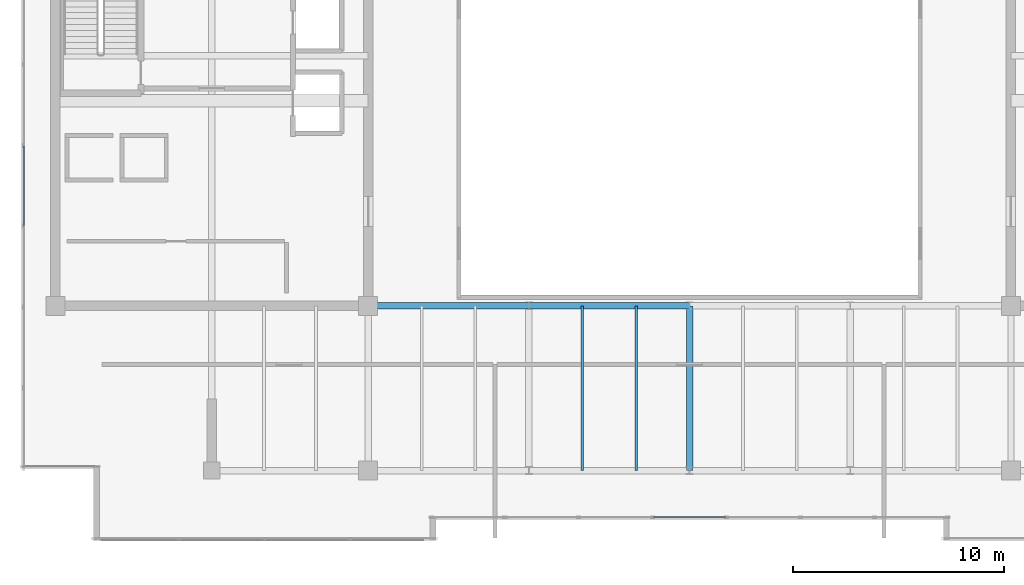
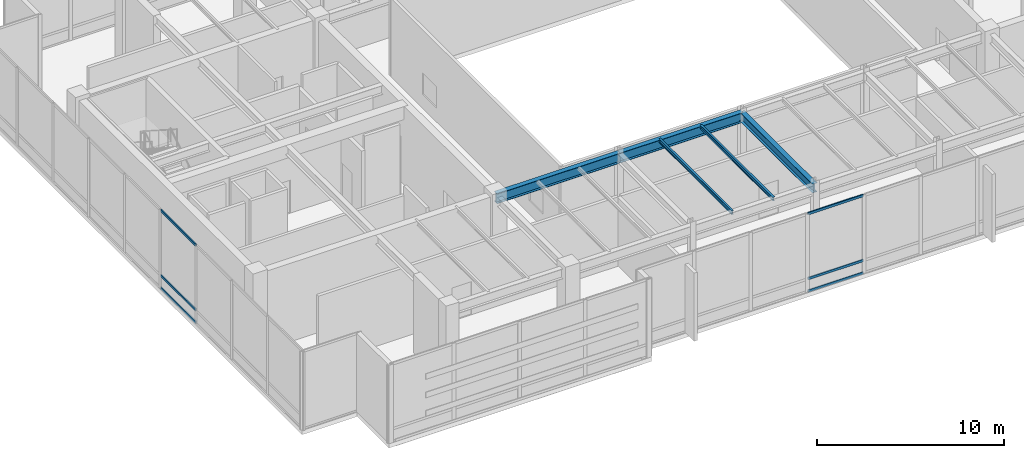
# One storey, part 8 of 30: 6 members, 5 beams, 2 elements without a shape of their own.
"""IFC4 building model written with IfcOpenShell, lengths in metres."""

import ifcopenshell
import ifcopenshell.guid

model = None  # the IFC model being written
_history = None  # IfcOwnerHistory: only IFC2X3 demands one
_inside = {}  # id of a spatial element -> (the spatial element, [elements in it])
_under = {}  # id of a project, library or spatial element -> (it, [spatial elements below it])
_declared = {}  # id of a project -> (the project, [libraries it declares])
_typed = {}  # id of a type object -> (the type object, [elements of that type])
_made_of = {}  # id of a material, layer set ... -> (it, [elements and type objects made of it])


def new_model(schema):
    """Start an empty IFC model of exactly this schema.

    Asked for "IFC4X3", IfcOpenShell would pick the latest addendum, in which some entities
    have other attributes; the version numbers below select the first issue.
    IFC2X3 requires an IfcOwnerHistory on every rooted entity: one is made here for all.
    """
    global model, _history
    if schema == "IFC4X3":
        model = ifcopenshell.file(schema_version=(4, 3, 0, 0))
    else:
        model = ifcopenshell.file(schema=schema)
    _inside.clear()
    _under.clear()
    _declared.clear()
    _typed.clear()
    _made_of.clear()
    _history = None
    if model.schema == "IFC2X3":
        org = make("IfcOrganization", Name="unknown")
        user = make(
            "IfcPersonAndOrganization",
            ThePerson=make("IfcPerson", FamilyName="unknown"),
            TheOrganization=org,
        )
        app = make(
            "IfcApplication",
            ApplicationDeveloper=org,
            Version="unknown",
            ApplicationFullName="unknown",
            ApplicationIdentifier="unknown",
        )
        _history = make(
            "IfcOwnerHistory",
            OwningUser=user,
            OwningApplication=app,
            ChangeAction="ADDED",
            CreationDate=0,
        )
    return model


def make(cls, **values):
    """One entity of the class cls with the attributes given. An attribute that is None is left unset."""
    return model.create_entity(
        cls, **{name: value for name, value in values.items() if value is not None}
    )


def rooted(cls, **values):
    """An entity with a GlobalId (a new one), such as an element, a storey or a relation."""
    return make(cls, GlobalId=ifcopenshell.guid.new(), OwnerHistory=_history, **values)


def si_unit(unit_type, name, prefix=None):
    """IfcSIUnit, for example si_unit("LENGTHUNIT", "METRE", prefix="MILLI")."""
    return make("IfcSIUnit", UnitType=unit_type, Prefix=prefix, Name=name)


def assignment(units):
    """IfcUnitAssignment: the units of a project."""
    return None if units is None else make("IfcUnitAssignment", Units=units)


def point(xyz):
    """IfcCartesianPoint."""
    return None if xyz is None else make("IfcCartesianPoint", Coordinates=xyz)


def direction(xyz):
    """IfcDirection."""
    return None if xyz is None else make("IfcDirection", DirectionRatios=xyz)


def frame(location, z_axis=None, x_axis=None):
    """IfcAxis2Placement3D, a coordinate frame: its origin and axes. An axis left out is left unset."""
    return make(
        "IfcAxis2Placement3D",
        Location=point(location),
        Axis=direction(z_axis),
        RefDirection=direction(x_axis),
    )


def frame_2d(location, x_axis=None):
    """IfcAxis2Placement2D, a coordinate frame in the plane: its origin and x axis."""
    return make(
        "IfcAxis2Placement2D", Location=point(location), RefDirection=direction(x_axis)
    )


def origin():
    """The frame at (0, 0, 0) with its axes left unset."""
    return frame((0.0, 0.0, 0.0))


def origin_2d():
    """The frame at (0, 0) in the plane with its x axis left unset."""
    return frame_2d((0.0, 0.0))


def place(relative_to, where):
    """IfcLocalPlacement: puts the frame where relative to a parent placement (None: the world)."""
    return make(
        "IfcLocalPlacement", PlacementRelTo=relative_to, RelativePlacement=where
    )


def context(
    kind, dimensions, precision=None, world=None, true_north=None, identifier=None
):
    """IfcGeometricRepresentationContext, for example the 3D "Model" context."""
    return make(
        "IfcGeometricRepresentationContext",
        ContextIdentifier=identifier,
        ContextType=kind,
        CoordinateSpaceDimension=dimensions,
        Precision=precision,
        WorldCoordinateSystem=world,
        TrueNorth=true_north,
    )


def subcontext(parent, identifier, kind, view, scale=None):
    """IfcGeometricRepresentationSubContext, for example "Body" below "Model"."""
    return make(
        "IfcGeometricRepresentationSubContext",
        ContextIdentifier=identifier,
        ContextType=kind,
        ParentContext=parent,
        TargetScale=scale,
        TargetView=view,
    )


def project(units=None, contexts=None):
    """IfcProject with its units and contexts."""
    return rooted(
        "IfcProject",
        Name="project",
        RepresentationContexts=contexts,
        UnitsInContext=assignment(units),
    )


def spatial(cls, under=None, at=None, **own):
    """A site, building, storey or space (cls), placed at a placement, below another one or the project."""
    s = rooted(cls, ObjectPlacement=at, **own)
    if under is not None:
        _under.setdefault(under.id(), (under, []))[1].append(s)
    return s


def profile(cls, at=None, kind="AREA", **sizes):
    """A parametric profile (cls). Its sizes go by their IFC names, for example OverallWidth=200.0."""
    return make(cls, ProfileType=kind, Position=at, **sizes)


def hollow_rectangle(**sizes):
    """IfcRectangleHollowProfileDef."""
    return profile("IfcRectangleHollowProfileDef", **sizes)


def i_section(**sizes):
    """IfcIShapeProfileDef."""
    return profile("IfcIShapeProfileDef", **sizes)


def extrude(swept, where, along, depth):
    """IfcExtrudedAreaSolid: the profile swept, set in the frame where, extruded along a direction by depth."""
    return make(
        "IfcExtrudedAreaSolid",
        SweptArea=swept,
        Position=where,
        ExtrudedDirection=direction(along),
        Depth=depth,
    )


def shape(context_of_items, identifier, shape_type, items):
    """IfcShapeRepresentation: the items that make up one representation, for example the "Body"."""
    return make(
        "IfcShapeRepresentation",
        ContextOfItems=context_of_items,
        RepresentationIdentifier=identifier,
        RepresentationType=shape_type,
        Items=items,
    )


def source(mapping_origin, context_of_items, identifier, shape_type, items):
    """IfcRepresentationMap: a shape defined once, which mapped items show again and again."""
    return make(
        "IfcRepresentationMap",
        MappingOrigin=mapping_origin,
        MappedRepresentation=shape(context_of_items, identifier, shape_type, items),
    )


def transform(
    local_origin,
    x_axis=None,
    y_axis=None,
    z_axis=None,
    scale=None,
    scale2=None,
    scale3=None,
    uniform=True,
):
    """IfcCartesianTransformationOperator3D, or its non-uniform kind. x_axis, y_axis, z_axis: its Axis1, 2, 3."""
    if uniform:
        return make(
            "IfcCartesianTransformationOperator3D",
            Axis1=direction(x_axis),
            Axis2=direction(y_axis),
            LocalOrigin=point(local_origin),
            Scale=scale,
            Axis3=direction(z_axis),
        )
    return make(
        "IfcCartesianTransformationOperator3DnonUniform",
        Axis1=direction(x_axis),
        Axis2=direction(y_axis),
        LocalOrigin=point(local_origin),
        Scale=scale,
        Axis3=direction(z_axis),
        Scale2=scale2,
        Scale3=scale3,
    )


def mapped(mapping_source, mapping_target):
    """IfcMappedItem: shows the shape of a source again, moved by a transform."""
    return make(
        "IfcMappedItem", MappingSource=mapping_source, MappingTarget=mapping_target
    )


def material(Name=None, Category=None):
    """IfcMaterial."""
    return make("IfcMaterial", Name=Name, Category=Category)


def layer(
    of_material, thickness, ventilated=None, Name=None, Category=None, Priority=None
):
    """IfcMaterialLayer: one layer of a wall or slab, of a material (None: an air gap)."""
    return make(
        "IfcMaterialLayer",
        Material=of_material,
        LayerThickness=thickness,
        IsVentilated=ventilated,
        Name=Name,
        Category=Category,
        Priority=Priority,
    )


def layer_set(layers, Name=None):
    """IfcMaterialLayerSet."""
    return make("IfcMaterialLayerSet", MaterialLayers=layers, LayerSetName=Name)


def material_profile(
    of_material, cross_section, Name=None, Category=None, Priority=None
):
    """IfcMaterialProfile: a cross section and its material."""
    return make(
        "IfcMaterialProfile",
        Name=Name,
        Material=of_material,
        Profile=cross_section,
        Priority=Priority,
        Category=Category,
    )


def profile_set(profiles, Name=None, composite=None):
    """IfcMaterialProfileSet."""
    return make(
        "IfcMaterialProfileSet",
        Name=Name,
        MaterialProfiles=profiles,
        CompositeProfile=composite,
    )


def made_of(thing, what):
    """Note that an element or type object is made of a material, layer set ...; save() writes the relation."""
    if what is not None:
        _made_of.setdefault(what.id(), (what, []))[1].append(thing)
    return thing


def type_object(cls, material=None, **own):
    """A type object (cls), such as IfcWallType, which elements share."""
    return made_of(rooted(cls, **own), material)


def type_shapes(of_type, sources):
    """Give a type object the sources (RepresentationMaps) that its elements show as mapped items."""
    of_type.RepresentationMaps = sources


def element(
    cls,
    number,
    at=None,
    inside=None,
    cuts=None,
    type_object=None,
    material=None,
    context=None,
    identifier="Body",
    shape_type=None,
    held_by="IfcProductDefinitionShape",
    body=None,
    shapes=None,
    **own,
):
    """One element of the class cls, such as IfcWall. Its Tag is "e" and its number.

    at: its placement. inside: the storey or other place that contains it. cuts: it is an
    opening in that element (IfcRelVoidsElement). A single representation is given by context,
    identifier, shape_type and body (its items); several are given by shapes. held_by: the class
    of the entity that holds the representations. save() writes the other relations.
    """
    e = rooted(cls, Tag="e%d" % number, ObjectPlacement=at, **own)
    if body is not None:
        shapes = [shape(context, identifier, shape_type, body)]
    if shapes is not None:
        e.Representation = make(held_by, Representations=shapes)
    if inside is not None:
        _inside.setdefault(inside.id(), (inside, []))[1].append(e)
    if cuts is not None:
        rooted(
            "IfcRelVoidsElement", RelatingBuildingElement=cuts, RelatedOpeningElement=e
        )
    if type_object is not None:
        _typed.setdefault(type_object.id(), (type_object, []))[1].append(e)
    return made_of(e, material)


def aggregate(whole, parts):
    """IfcRelAggregates: a whole, such as a stair, and the parts it consists of."""
    return rooted("IfcRelAggregates", RelatingObject=whole, RelatedObjects=parts)


def save(model, path):
    """Write the relations noted so far, then the file.

    IfcRelAggregates (storeys below a building ...), IfcRelContainedInSpatialStructure (elements
    in a storey), IfcRelDefinesByType, IfcRelAssociatesMaterial and IfcRelDeclares: one each for
    every whole, place, type object, material and project.
    """
    for whole, parts in _under.values():
        aggregate(whole, parts)
    for where, things in _inside.values():
        rooted(
            "IfcRelContainedInSpatialStructure",
            RelatedElements=things,
            RelatingStructure=where,
        )
    for kind, things in _typed.values():
        rooted("IfcRelDefinesByType", RelatedObjects=things, RelatingType=kind)
    for what, things in _made_of.values():
        rooted("IfcRelAssociatesMaterial", RelatedObjects=things, RelatingMaterial=what)
    for by, libraries in _declared.values():
        rooted("IfcRelDeclares", RelatingContext=by, RelatedDefinitions=libraries)
    model.write(path)


model = new_model("IFC4")

# Units and contexts
model_context = context("Model", 3, precision=1e-05, world=origin(), true_north=direction((0.0, 1.0)))
body_context = subcontext(model_context, "Body", "Model", "MODEL_VIEW")
ifc_project = project(units=[si_unit("LENGTHUNIT", "METRE"), si_unit("AREAUNIT", "SQUARE_METRE"), si_unit("VOLUMEUNIT", "CUBIC_METRE"), si_unit("PLANEANGLEUNIT", "RADIAN"), si_unit("MASSUNIT", "GRAM", prefix="KILO")], contexts=[model_context])

# Site, building, storey
site_placement = place(None, origin())
site = spatial("IfcSite", under=ifc_project, at=site_placement, CompositionType="ELEMENT")
building_placement = place(site_placement, origin())
building = spatial("IfcBuilding", under=site, at=building_placement, Name="Haelvirn Gate Laboratories", CompositionType="ELEMENT")
storey_placement = place(building_placement, frame((0.0, 0.0, 327.0)))
storey = spatial("IfcBuildingStorey", under=building, at=storey_placement, Name="L78", CompositionType="ELEMENT", Elevation=327.0)

# Beams
ifc_material_1 = material(Name="Steel SM355", Category="steel")
ifc_material_profile_1 = material_profile(ifc_material_1, i_section(OverallWidth=0.300048828125, OverallDepth=0.587890625, WebThickness=0.011962890625, FlangeThickness=0.02001953125, at=origin_2d()), Name="H-588x300x12x20")
ifc_profile_set_1 = profile_set([ifc_material_profile_1], Name="Steel SM355")
beam_type_1 = type_object("IfcBeamType", Name="BM-G-588", PredefinedType="BEAM", material=ifc_profile_set_1)
shared_shape_1 = source(origin(), body_context, "Body", "SweptSolid", [
    extrude(i_section(OverallWidth=0.300048828125, OverallDepth=0.587890625, WebThickness=0.011962890625, FlangeThickness=0.02001953125, at=origin_2d()), origin(), (0.0, 0.0, 1.0), 7.800048828125),
])
type_shapes(beam_type_1, [shared_shape_1])
beam_1_placement = place(storey_placement, frame((37.39990234375, 7.0, 4.825927734375), z_axis=(0.0, 1.0, 0.0), x_axis=(-1.0, 0.0, 0.0)))
element("IfcBeam", 1, at=beam_1_placement, inside=storey, type_object=beam_type_1, Name="L78 Frame Girder X37.4 (7.0-14.8)", PredefinedType="BEAM", context=body_context, shape_type="MappedRepresentation", body=[
    mapped(shared_shape_1, transform((0.0, 0.0, 0.0), scale=1.0)),
])
ifc_material_profile_2 = material_profile(ifc_material_1, i_section(OverallWidth=0.300048828125, OverallDepth=0.64990234375, WebThickness=0.012939453125, FlangeThickness=0.02197265625, at=origin_2d()), Name="H-650x300x13x22")
ifc_profile_set_2 = profile_set([ifc_material_profile_2], Name="Steel SM355")
beam_type_2 = type_object("IfcBeamType", Name="BM-G-650", PredefinedType="BEAM", material=ifc_profile_set_2)
shared_shape_2 = source(origin(), body_context, "Body", "SweptSolid", [
    extrude(i_section(OverallWidth=0.300048828125, OverallDepth=0.64990234375, WebThickness=0.012939453125, FlangeThickness=0.02197265625, at=origin_2d()), origin(), (0.0, 0.0, 1.0), 7.60009765625),
])
beam_2_placement = place(storey_placement, frame((22.199951171875, 14.800048828125, 4.794921875), z_axis=(1.0, 0.0, 0.0), x_axis=(0.0, 1.0, 0.0)))
element("IfcBeam", 2, at=beam_2_placement, inside=storey, type_object=beam_type_2, Name="L78 Primary Girder Y14.8 (22.2-29.8)", PredefinedType="BEAM", context=body_context, shape_type="MappedRepresentation", body=[
    mapped(shared_shape_2, transform((0.0, 0.0, 0.0), scale=1.0)),
])
shared_shape_3 = source(origin(), body_context, "Body", "SweptSolid", [
    extrude(i_section(OverallWidth=0.300048828125, OverallDepth=0.64990234375, WebThickness=0.012939453125, FlangeThickness=0.02197265625, at=origin_2d()), origin(), (0.0, 0.0, 1.0), 7.599853515625),
])
type_shapes(beam_type_2, [shared_shape_2, shared_shape_3])
beam_3_placement = place(storey_placement, frame((29.800048828125, 14.800048828125, 4.794921875), z_axis=(1.0, 0.0, 0.0), x_axis=(0.0, 1.0, 0.0)))
element("IfcBeam", 3, at=beam_3_placement, inside=storey, type_object=beam_type_2, Name="L78 Primary Girder Y14.8 (29.8-37.4)", PredefinedType="BEAM", context=body_context, shape_type="MappedRepresentation", body=[
    mapped(shared_shape_3, transform((0.0, 0.0, 0.0), scale=1.0)),
])
ifc_material_profile_3 = material_profile(ifc_material_1, i_section(OverallWidth=0.125, OverallDepth=0.25, WebThickness=0.006103515625, FlangeThickness=0.009033203125, at=origin_2d()), Name="H-250x125x6x9")
ifc_profile_set_3 = profile_set([ifc_material_profile_3], Name="Steel SM355")
beam_type_3 = type_object("IfcBeamType", Name="BM-J-250", PredefinedType="JOIST", material=ifc_profile_set_3)
shared_shape_4 = source(origin(), body_context, "Body", "SweptSolid", [
    extrude(i_section(OverallWidth=0.125, OverallDepth=0.25, WebThickness=0.006103515625, FlangeThickness=0.009033203125, at=origin_2d()), origin(), (0.0, 0.0, 1.0), 7.800048828125),
])
type_shapes(beam_type_3, [shared_shape_4])
for number, where, z_axis, x_axis, name in (
    (4, (32.330078125, 7.0, 4.9951171875), (0.0, 1.0, 0.0), (-1.0, 0.0, 0.0), "L78 Composite Lab Joist South X32.33"),
    (5, (34.8701171875, 7.0, 4.9951171875), (0.0, 1.0, 0.0), (-1.0, 0.0, 0.0), "L78 Composite Lab Joist South X34.87"),
):
    element("IfcBeam", number, at=place(storey_placement, frame(where, z_axis=z_axis, x_axis=x_axis)), inside=storey, type_object=beam_type_3, Name=name, PredefinedType="JOIST", context=body_context, shape_type="MappedRepresentation", body=[
        mapped(shared_shape_4, transform((0.0, 0.0, 0.0), scale=1.0)),
    ])

# Curtain wall, members
ifc_material_2 = material(Name="Anodised bronze unitised aluminium & triple low-E glass", Category="aluminium")
ifc_layer = layer(ifc_material_2, 0.19189453125, Name="CW-SYS-6")
ifc_layer_set = layer_set([ifc_layer], Name="Anodised bronze unitised aluminium & triple low-E glass")
curtain_wall_type = type_object("IfcCurtainWallType", Name="CW-SYS-6", PredefinedType="NOTDEFINED", material=ifc_layer_set)
curtain_wall_1_placement = place(storey_placement, origin())
curtain_wall_1 = element("IfcCurtainWall", 6, at=curtain_wall_1_placement, inside=storey, type_object=curtain_wall_type, Name="L78 Unitised Curtain Wall CW-L78-P0-E02-1", PredefinedType="NOTDEFINED")
ifc_material_3 = material(Name="Extruded aluminium 6063-T6 (anodised bronze)", Category="aluminium")
ifc_material_profile_4 = material_profile(ifc_material_3, hollow_rectangle(XDim=0.070068359375, YDim=0.159912109375, WallThickness=0.0048828125, at=origin_2d()), Name="CWT-160x70x5")
ifc_profile_set_4 = profile_set([ifc_material_profile_4], Name="Extruded aluminium 6063-T6 (anodised bronze)")
member_type = type_object("IfcMemberType", Name="CWT-T160", PredefinedType="USERDEFINED", material=ifc_profile_set_4)
shared_shape_5 = source(origin(), body_context, "Body", "SweptSolid", [
    extrude(hollow_rectangle(XDim=0.070068359375, YDim=0.159912109375, WallThickness=0.0048828125, at=origin_2d()), origin(), (0.0, 0.0, 1.0), 3.417236328125),
])
member_1_placement = place(storey_placement, frame((35.69140625, 4.800048828125, 0.034912109375), z_axis=(1.0, 0.0, 0.0), x_axis=(0.0, 1.0, 0.0)))
member_1 = element("IfcMember", 7, at=member_1_placement, type_object=member_type, Name="CW6 transom 4.1", ObjectType="TRANSOM", PredefinedType="USERDEFINED", context=body_context, shape_type="MappedRepresentation", body=[
    mapped(shared_shape_5, transform((0.0, 0.0, 0.0), scale=1.0)),
])
member_2_placement = place(storey_placement, frame((35.69140625, 4.800048828125, 0.85009765625), z_axis=(1.0, 0.0, 0.0), x_axis=(0.0, 1.0, 0.0)))
member_2 = element("IfcMember", 8, at=member_2_placement, type_object=member_type, Name="CW6 transom 4.2", ObjectType="TRANSOM", PredefinedType="USERDEFINED", context=body_context, shape_type="MappedRepresentation", body=[
    mapped(shared_shape_5, transform((0.0, 0.0, 0.0), scale=1.0)),
])
member_3_placement = place(storey_placement, frame((35.69140625, 4.800048828125, 5.0849609375), z_axis=(1.0, 0.0, 0.0), x_axis=(0.0, 1.0, 0.0)))
member_3 = element("IfcMember", 9, at=member_3_placement, type_object=member_type, Name="CW6 transom 4.3", ObjectType="TRANSOM", PredefinedType="USERDEFINED", context=body_context, shape_type="MappedRepresentation", body=[
    mapped(shared_shape_5, transform((0.0, 0.0, 0.0), scale=1.0)),
])
aggregate(curtain_wall_1, [member_1, member_2, member_3])

curtain_wall_2_placement = place(storey_placement, origin())
curtain_wall_2 = element("IfcCurtainWall", 10, at=curtain_wall_2_placement, inside=storey, type_object=curtain_wall_type, Name="L78 Unitised Curtain Wall CW-L78-P0-E17", PredefinedType="NOTDEFINED")
shared_shape_6 = source(origin(), body_context, "Body", "SweptSolid", [
    extrude(hollow_rectangle(XDim=0.070068359375, YDim=0.159912109375, WallThickness=0.0048828125, at=origin_2d()), origin(), (0.0, 0.0, 1.0), 3.7421875),
])
type_shapes(member_type, [shared_shape_5, shared_shape_6])
member_4_placement = place(storey_placement, frame((5.89990234375, 22.348876953125, 0.034912109375), z_axis=(0.0, -1.0, 0.0), x_axis=(1.0, 0.0, 0.0)))
member_4 = element("IfcMember", 11, at=member_4_placement, type_object=member_type, Name="CW6 transom 6.1", ObjectType="TRANSOM", PredefinedType="USERDEFINED", context=body_context, shape_type="MappedRepresentation", body=[
    mapped(shared_shape_6, transform((0.0, 0.0, 0.0), scale=1.0)),
])
member_5_placement = place(storey_placement, frame((5.89990234375, 22.348876953125, 0.85009765625), z_axis=(0.0, -1.0, 0.0), x_axis=(1.0, 0.0, 0.0)))
member_5 = element("IfcMember", 12, at=member_5_placement, type_object=member_type, Name="CW6 transom 6.2", ObjectType="TRANSOM", PredefinedType="USERDEFINED", context=body_context, shape_type="MappedRepresentation", body=[
    mapped(shared_shape_6, transform((0.0, 0.0, 0.0), scale=1.0)),
])
member_6_placement = place(storey_placement, frame((5.89990234375, 22.348876953125, 5.0849609375), z_axis=(0.0, -1.0, 0.0), x_axis=(1.0, 0.0, 0.0)))
member_6 = element("IfcMember", 13, at=member_6_placement, type_object=member_type, Name="CW6 transom 6.3", ObjectType="TRANSOM", PredefinedType="USERDEFINED", context=body_context, shape_type="MappedRepresentation", body=[
    mapped(shared_shape_6, transform((0.0, 0.0, 0.0), scale=1.0)),
])
aggregate(curtain_wall_2, [member_4, member_5, member_6])

save(model, "model.ifc")
